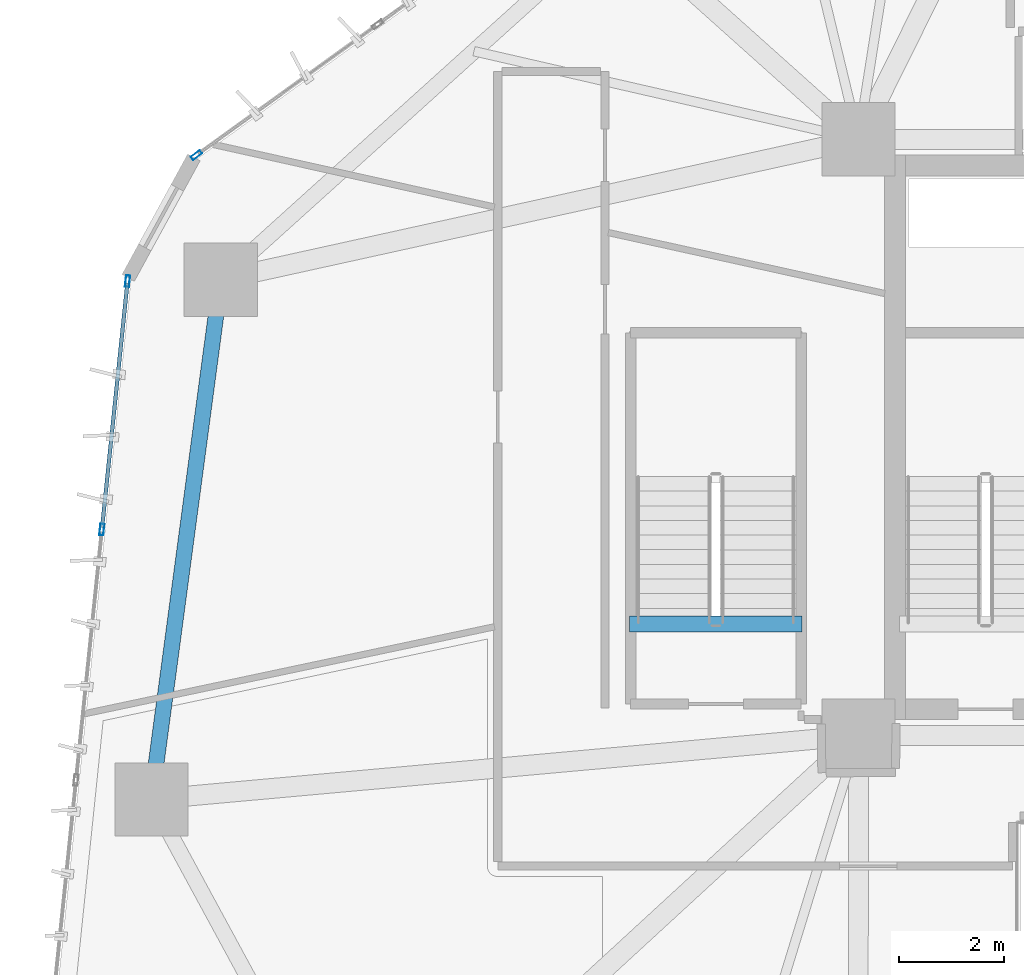
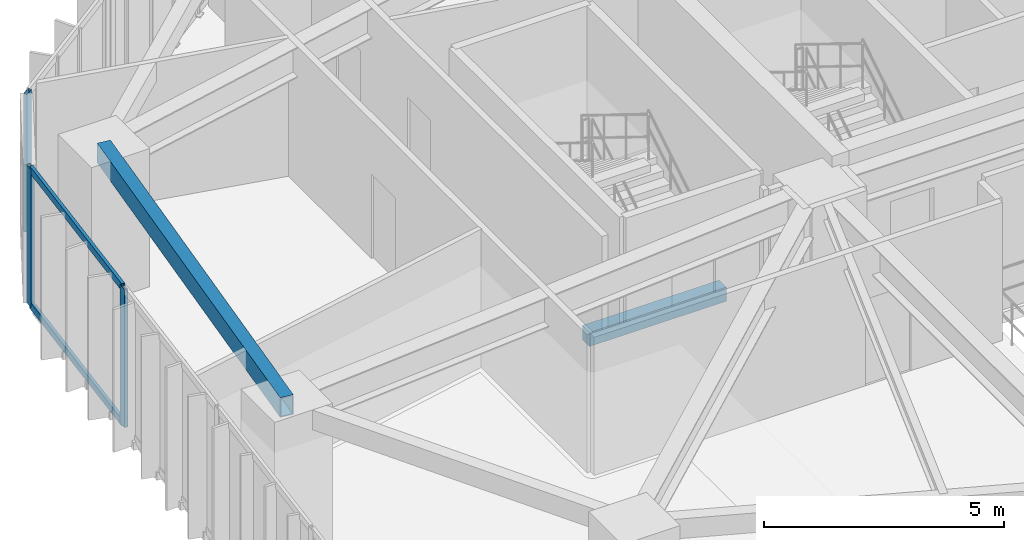
# One storey, part 6 of 22: 5 members, 2 beams, 2 elements without a shape of their own.
"""IFC4 building model written with IfcOpenShell, lengths in metres."""

import ifcopenshell
import ifcopenshell.guid

model = None  # the IFC model being written
_history = None  # IfcOwnerHistory: only IFC2X3 demands one
_inside = {}  # id of a spatial element -> (the spatial element, [elements in it])
_under = {}  # id of a project, library or spatial element -> (it, [spatial elements below it])
_declared = {}  # id of a project -> (the project, [libraries it declares])
_typed = {}  # id of a type object -> (the type object, [elements of that type])
_made_of = {}  # id of a material, layer set ... -> (it, [elements and type objects made of it])


def new_model(schema):
    """Start an empty IFC model of exactly this schema.

    Asked for "IFC4X3", IfcOpenShell would pick the latest addendum, in which some entities
    have other attributes; the version numbers below select the first issue.
    IFC2X3 requires an IfcOwnerHistory on every rooted entity: one is made here for all.
    """
    global model, _history
    if schema == "IFC4X3":
        model = ifcopenshell.file(schema_version=(4, 3, 0, 0))
    else:
        model = ifcopenshell.file(schema=schema)
    _inside.clear()
    _under.clear()
    _declared.clear()
    _typed.clear()
    _made_of.clear()
    _history = None
    if model.schema == "IFC2X3":
        org = make("IfcOrganization", Name="unknown")
        user = make(
            "IfcPersonAndOrganization",
            ThePerson=make("IfcPerson", FamilyName="unknown"),
            TheOrganization=org,
        )
        app = make(
            "IfcApplication",
            ApplicationDeveloper=org,
            Version="unknown",
            ApplicationFullName="unknown",
            ApplicationIdentifier="unknown",
        )
        _history = make(
            "IfcOwnerHistory",
            OwningUser=user,
            OwningApplication=app,
            ChangeAction="ADDED",
            CreationDate=0,
        )
    return model


def make(cls, **values):
    """One entity of the class cls with the attributes given. An attribute that is None is left unset."""
    return model.create_entity(
        cls, **{name: value for name, value in values.items() if value is not None}
    )


def rooted(cls, **values):
    """An entity with a GlobalId (a new one), such as an element, a storey or a relation."""
    return make(cls, GlobalId=ifcopenshell.guid.new(), OwnerHistory=_history, **values)


def si_unit(unit_type, name, prefix=None):
    """IfcSIUnit, for example si_unit("LENGTHUNIT", "METRE", prefix="MILLI")."""
    return make("IfcSIUnit", UnitType=unit_type, Prefix=prefix, Name=name)


def assignment(units):
    """IfcUnitAssignment: the units of a project."""
    return None if units is None else make("IfcUnitAssignment", Units=units)


def point(xyz):
    """IfcCartesianPoint."""
    return None if xyz is None else make("IfcCartesianPoint", Coordinates=xyz)


def direction(xyz):
    """IfcDirection."""
    return None if xyz is None else make("IfcDirection", DirectionRatios=xyz)


def frame(location, z_axis=None, x_axis=None):
    """IfcAxis2Placement3D, a coordinate frame: its origin and axes. An axis left out is left unset."""
    return make(
        "IfcAxis2Placement3D",
        Location=point(location),
        Axis=direction(z_axis),
        RefDirection=direction(x_axis),
    )


def frame_2d(location, x_axis=None):
    """IfcAxis2Placement2D, a coordinate frame in the plane: its origin and x axis."""
    return make(
        "IfcAxis2Placement2D", Location=point(location), RefDirection=direction(x_axis)
    )


def origin():
    """The frame at (0, 0, 0) with its axes left unset."""
    return frame((0.0, 0.0, 0.0))


def origin_2d():
    """The frame at (0, 0) in the plane with its x axis left unset."""
    return frame_2d((0.0, 0.0))


def place(relative_to, where):
    """IfcLocalPlacement: puts the frame where relative to a parent placement (None: the world)."""
    return make(
        "IfcLocalPlacement", PlacementRelTo=relative_to, RelativePlacement=where
    )


def context(
    kind, dimensions, precision=None, world=None, true_north=None, identifier=None
):
    """IfcGeometricRepresentationContext, for example the 3D "Model" context."""
    return make(
        "IfcGeometricRepresentationContext",
        ContextIdentifier=identifier,
        ContextType=kind,
        CoordinateSpaceDimension=dimensions,
        Precision=precision,
        WorldCoordinateSystem=world,
        TrueNorth=true_north,
    )


def subcontext(parent, identifier, kind, view, scale=None):
    """IfcGeometricRepresentationSubContext, for example "Body" below "Model"."""
    return make(
        "IfcGeometricRepresentationSubContext",
        ContextIdentifier=identifier,
        ContextType=kind,
        ParentContext=parent,
        TargetScale=scale,
        TargetView=view,
    )


def project(units=None, contexts=None):
    """IfcProject with its units and contexts."""
    return rooted(
        "IfcProject",
        Name="project",
        RepresentationContexts=contexts,
        UnitsInContext=assignment(units),
    )


def spatial(cls, under=None, at=None, **own):
    """A site, building, storey or space (cls), placed at a placement, below another one or the project."""
    s = rooted(cls, ObjectPlacement=at, **own)
    if under is not None:
        _under.setdefault(under.id(), (under, []))[1].append(s)
    return s


def profile(cls, at=None, kind="AREA", **sizes):
    """A parametric profile (cls). Its sizes go by their IFC names, for example OverallWidth=200.0."""
    return make(cls, ProfileType=kind, Position=at, **sizes)


def rectangle(**sizes):
    """IfcRectangleProfileDef."""
    return profile("IfcRectangleProfileDef", **sizes)


def hollow_rectangle(**sizes):
    """IfcRectangleHollowProfileDef."""
    return profile("IfcRectangleHollowProfileDef", **sizes)


def extrude(swept, where, along, depth):
    """IfcExtrudedAreaSolid: the profile swept, set in the frame where, extruded along a direction by depth."""
    return make(
        "IfcExtrudedAreaSolid",
        SweptArea=swept,
        Position=where,
        ExtrudedDirection=direction(along),
        Depth=depth,
    )


def shape(context_of_items, identifier, shape_type, items):
    """IfcShapeRepresentation: the items that make up one representation, for example the "Body"."""
    return make(
        "IfcShapeRepresentation",
        ContextOfItems=context_of_items,
        RepresentationIdentifier=identifier,
        RepresentationType=shape_type,
        Items=items,
    )


def source(mapping_origin, context_of_items, identifier, shape_type, items):
    """IfcRepresentationMap: a shape defined once, which mapped items show again and again."""
    return make(
        "IfcRepresentationMap",
        MappingOrigin=mapping_origin,
        MappedRepresentation=shape(context_of_items, identifier, shape_type, items),
    )


def transform(
    local_origin,
    x_axis=None,
    y_axis=None,
    z_axis=None,
    scale=None,
    scale2=None,
    scale3=None,
    uniform=True,
):
    """IfcCartesianTransformationOperator3D, or its non-uniform kind. x_axis, y_axis, z_axis: its Axis1, 2, 3."""
    if uniform:
        return make(
            "IfcCartesianTransformationOperator3D",
            Axis1=direction(x_axis),
            Axis2=direction(y_axis),
            LocalOrigin=point(local_origin),
            Scale=scale,
            Axis3=direction(z_axis),
        )
    return make(
        "IfcCartesianTransformationOperator3DnonUniform",
        Axis1=direction(x_axis),
        Axis2=direction(y_axis),
        LocalOrigin=point(local_origin),
        Scale=scale,
        Axis3=direction(z_axis),
        Scale2=scale2,
        Scale3=scale3,
    )


def mapped(mapping_source, mapping_target):
    """IfcMappedItem: shows the shape of a source again, moved by a transform."""
    return make(
        "IfcMappedItem", MappingSource=mapping_source, MappingTarget=mapping_target
    )


def material(Name=None, Category=None):
    """IfcMaterial."""
    return make("IfcMaterial", Name=Name, Category=Category)


def layer(
    of_material, thickness, ventilated=None, Name=None, Category=None, Priority=None
):
    """IfcMaterialLayer: one layer of a wall or slab, of a material (None: an air gap)."""
    return make(
        "IfcMaterialLayer",
        Material=of_material,
        LayerThickness=thickness,
        IsVentilated=ventilated,
        Name=Name,
        Category=Category,
        Priority=Priority,
    )


def layer_set(layers, Name=None):
    """IfcMaterialLayerSet."""
    return make("IfcMaterialLayerSet", MaterialLayers=layers, LayerSetName=Name)


def material_profile(
    of_material, cross_section, Name=None, Category=None, Priority=None
):
    """IfcMaterialProfile: a cross section and its material."""
    return make(
        "IfcMaterialProfile",
        Name=Name,
        Material=of_material,
        Profile=cross_section,
        Priority=Priority,
        Category=Category,
    )


def profile_set(profiles, Name=None, composite=None):
    """IfcMaterialProfileSet."""
    return make(
        "IfcMaterialProfileSet",
        Name=Name,
        MaterialProfiles=profiles,
        CompositeProfile=composite,
    )


def made_of(thing, what):
    """Note that an element or type object is made of a material, layer set ...; save() writes the relation."""
    if what is not None:
        _made_of.setdefault(what.id(), (what, []))[1].append(thing)
    return thing


def type_object(cls, material=None, **own):
    """A type object (cls), such as IfcWallType, which elements share."""
    return made_of(rooted(cls, **own), material)


def type_shapes(of_type, sources):
    """Give a type object the sources (RepresentationMaps) that its elements show as mapped items."""
    of_type.RepresentationMaps = sources


def element(
    cls,
    number,
    at=None,
    inside=None,
    cuts=None,
    type_object=None,
    material=None,
    context=None,
    identifier="Body",
    shape_type=None,
    held_by="IfcProductDefinitionShape",
    body=None,
    shapes=None,
    **own,
):
    """One element of the class cls, such as IfcWall. Its Tag is "e" and its number.

    at: its placement. inside: the storey or other place that contains it. cuts: it is an
    opening in that element (IfcRelVoidsElement). A single representation is given by context,
    identifier, shape_type and body (its items); several are given by shapes. held_by: the class
    of the entity that holds the representations. save() writes the other relations.
    """
    e = rooted(cls, Tag="e%d" % number, ObjectPlacement=at, **own)
    if body is not None:
        shapes = [shape(context, identifier, shape_type, body)]
    if shapes is not None:
        e.Representation = make(held_by, Representations=shapes)
    if inside is not None:
        _inside.setdefault(inside.id(), (inside, []))[1].append(e)
    if cuts is not None:
        rooted(
            "IfcRelVoidsElement", RelatingBuildingElement=cuts, RelatedOpeningElement=e
        )
    if type_object is not None:
        _typed.setdefault(type_object.id(), (type_object, []))[1].append(e)
    return made_of(e, material)


def aggregate(whole, parts):
    """IfcRelAggregates: a whole, such as a stair, and the parts it consists of."""
    return rooted("IfcRelAggregates", RelatingObject=whole, RelatedObjects=parts)


def save(model, path):
    """Write the relations noted so far, then the file.

    IfcRelAggregates (storeys below a building ...), IfcRelContainedInSpatialStructure (elements
    in a storey), IfcRelDefinesByType, IfcRelAssociatesMaterial and IfcRelDeclares: one each for
    every whole, place, type object, material and project.
    """
    for whole, parts in _under.values():
        aggregate(whole, parts)
    for where, things in _inside.values():
        rooted(
            "IfcRelContainedInSpatialStructure",
            RelatedElements=things,
            RelatingStructure=where,
        )
    for kind, things in _typed.values():
        rooted("IfcRelDefinesByType", RelatedObjects=things, RelatingType=kind)
    for what, things in _made_of.values():
        rooted("IfcRelAssociatesMaterial", RelatedObjects=things, RelatingMaterial=what)
    for by, libraries in _declared.values():
        rooted("IfcRelDeclares", RelatingContext=by, RelatedDefinitions=libraries)
    model.write(path)


model = new_model("IFC4")

# Units and contexts
model_context = context("Model", 3, precision=1e-05, world=origin(), true_north=direction((0.0, 1.0)))
body_context = subcontext(model_context, "Body", "Model", "MODEL_VIEW")
ifc_project = project(units=[si_unit("LENGTHUNIT", "METRE"), si_unit("AREAUNIT", "SQUARE_METRE"), si_unit("VOLUMEUNIT", "CUBIC_METRE"), si_unit("PLANEANGLEUNIT", "RADIAN"), si_unit("MASSUNIT", "GRAM", prefix="KILO")], contexts=[model_context])

# Site, building, storey
site_placement = place(None, origin())
site = spatial("IfcSite", under=ifc_project, at=site_placement, CompositionType="ELEMENT")
building_placement = place(site_placement, origin())
building = spatial("IfcBuilding", under=site, at=building_placement, Name="Talar Marvaseh", CompositionType="ELEMENT")
storey_placement = place(building_placement, frame((0.0, 0.0, 65.800048828125)))
storey = spatial("IfcBuildingStorey", under=building, at=storey_placement, Name="L16", CompositionType="ELEMENT", Elevation=65.800048828125)

# Beams
ifc_material_1 = material(Name="Concrete C40/50", Category="concrete")
ifc_material_profile_1 = material_profile(ifc_material_1, rectangle(XDim=0.300048828125, YDim=0.360107421875, at=origin_2d()), Name="RC300x360")
ifc_profile_set_1 = profile_set([ifc_material_profile_1], Name="Concrete C40/50")
beam_type_1 = type_object("IfcBeamType", Name="Concrete Stair Landing Trimmer Beam RC300x360", PredefinedType="SPANDREL", material=ifc_profile_set_1)
beam_1_placement = place(storey_placement, frame((17.6201171875, 27.6298828125, -0.179931640625), z_axis=(-1.0, 0.0, 0.0), x_axis=(0.0, -1.0, 0.0)))
element("IfcBeam", 1, at=beam_1_placement, inside=storey, type_object=beam_type_1, Name="L16 ST-3 Stair Nosing Trimmer Beam", PredefinedType="SPANDREL", context=body_context, shape_type="SweptSolid", body=[
    extrude(rectangle(XDim=0.300048828125, YDim=0.360107421875, at=origin_2d()), origin(), (0.0, 0.0, 1.0), 3.300048828125),
])
ifc_material_2 = material(Name="Steel S355", Category="steel")
ifc_material_profile_2 = material_profile(ifc_material_2, hollow_rectangle(XDim=0.300048828125, YDim=0.5, WallThickness=0.02001953125, at=origin_2d()), Name="RHS500x300x20")
ifc_profile_set_2 = profile_set([ifc_material_profile_2], Name="Steel S355")
beam_type_2 = type_object("IfcBeamType", Name="Zone 1 Perimeter Spandrel Beam RHS500x300x20", PredefinedType="SPANDREL", material=ifc_profile_set_2)
beam_2_placement = place(storey_placement, frame((5.175048828125, 24.27587890625, 3.27001953125), z_axis=(0.132340758564, 0.991204279461, 0.0), x_axis=(-0.991204279461, 0.132340758564, 0.0)))
element("IfcBeam", 2, at=beam_2_placement, inside=storey, type_object=beam_type_2, Name="L16 Zone 1 Perimeter Spandrel Beam RHS500x300x20", PredefinedType="SPANDREL", context=body_context, shape_type="SweptSolid", body=[
    extrude(hollow_rectangle(XDim=0.300048828125, YDim=0.5, WallThickness=0.02001953125, at=origin_2d()), origin(), (0.0, 0.0, 1.0), 10.0263671875),
])

# Curtain wall, members
ifc_material_3 = material(Name="Architectural Aluminium", Category="aluminium")
ifc_layer = layer(ifc_material_3, 0.219970703125)
ifc_layer_set = layer_set([ifc_layer], Name="Architectural Aluminium")
curtain_wall_type = type_object("IfcCurtainWallType", Name="Unitised Low-E Museum Curtain Wall Z1", PredefinedType="NOTDEFINED", material=ifc_layer_set)
curtain_wall_1_placement = place(storey_placement, origin())
curtain_wall_1 = element("IfcCurtainWall", 3, at=curtain_wall_1_placement, inside=storey, type_object=curtain_wall_type, Name="L16 Unitised Low-E Museum Curtain Wall Z1", PredefinedType="NOTDEFINED")
ifc_material_profile_3 = material_profile(ifc_material_3, hollow_rectangle(XDim=0.080078125, YDim=0.219970703125, WallThickness=0.0048828125, at=origin_2d()), Name="RHS220x80x5")
ifc_profile_set_3 = profile_set([ifc_material_profile_3], Name="Architectural Aluminium")
member_type_1 = type_object("IfcMemberType", Name="Unitised Curtain Wall Heavy Mullion RHS220x80x5", PredefinedType="MULLION", material=ifc_profile_set_3)
shared_shape_1 = source(origin(), body_context, "Body", "SweptSolid", [
    extrude(hollow_rectangle(XDim=0.080078125, YDim=0.219970703125, WallThickness=0.0048828125, at=origin_2d()), origin(), (0.0, 0.0, 1.0), 3.52001953125),
])
type_shapes(member_type_1, [shared_shape_1])
member_1_placement = place(storey_placement, frame((4.229248046875, 29.43701171875, 0.0), z_axis=(0.0, 0.0, 1.0), x_axis=(-0.994696116213, 0.102857359443, 0.0)))
member_1 = element("IfcMember", 4, at=member_1_placement, type_object=member_type_1, Name="CW-Z1 mullion 4", PredefinedType="MULLION", context=body_context, shape_type="MappedRepresentation", body=[
    mapped(shared_shape_1, transform((0.0, 0.0, 0.0), x_axis=(1.0, 0.0, 0.0), y_axis=(0.0, 1.0, 0.0), z_axis=(0.0, 0.0, 1.0), scale=1.0)),
])
member_2_placement = place(storey_placement, frame((4.720458984375, 34.1884765625, 0.0), z_axis=(0.0, 0.0, 1.0), x_axis=(-0.994696116213, 0.102857359443, 0.0)))
member_2 = element("IfcMember", 5, at=member_2_placement, type_object=member_type_1, Name="CW-Z1 mullion 5", PredefinedType="MULLION", context=body_context, shape_type="MappedRepresentation", body=[
    mapped(shared_shape_1, transform((0.0, 0.0, 0.0), x_axis=(1.0, 0.0, 0.0), y_axis=(0.0, 1.0, 0.0), z_axis=(0.0, 0.0, 1.0), scale=1.0)),
])

# Curtain wall, member
curtain_wall_2_placement = place(storey_placement, origin())
curtain_wall_2 = element("IfcCurtainWall", 6, at=curtain_wall_2_placement, inside=storey, type_object=curtain_wall_type, Name="L16 Unitised Low-E Museum Curtain Wall Z1", PredefinedType="NOTDEFINED")
member_3_placement = place(storey_placement, frame((6.038330078125, 36.596923828125, 0.0), z_axis=(0.0, 0.0, 1.0), x_axis=(-0.58520918329, 0.810882366187, 0.0)))
member_3 = element("IfcMember", 7, at=member_3_placement, type_object=member_type_1, Name="CW-Z1 mullion 1", PredefinedType="MULLION", context=body_context, shape_type="MappedRepresentation", body=[
    mapped(shared_shape_1, transform((0.0, 0.0, 0.0), x_axis=(1.0, 0.0, 0.0), y_axis=(0.0, 1.0, 0.0), z_axis=(0.0, 0.0, 1.0), scale=1.0)),
])
aggregate(curtain_wall_2, [member_3])

# Member
ifc_material_profile_4 = material_profile(ifc_material_3, hollow_rectangle(XDim=0.074951171875, YDim=0.179931640625, WallThickness=0.0048828125, at=origin_2d()), Name="RHS180x75x5")
ifc_profile_set_4 = profile_set([ifc_material_profile_4], Name="Architectural Aluminium")
member_type_2 = type_object("IfcMemberType", Name="Unitised Curtain Wall Transom RHS180x75x5", PredefinedType="USERDEFINED", material=ifc_profile_set_4)
shared_shape_2 = source(origin(), body_context, "Body", "SweptSolid", [
    extrude(hollow_rectangle(XDim=0.074951171875, YDim=0.179931640625, WallThickness=0.0048828125, at=origin_2d()), origin(), (0.0, 0.0, 1.0), 4.69677734375),
])
type_shapes(member_type_2, [shared_shape_2])
member_4_placement = place(storey_placement, frame((4.2333984375, 29.476806640625, 0.037353515625), z_axis=(0.102817571818, 0.99470022968, 0.0), x_axis=(-0.99470022968, 0.102817571818, 0.0)))
member_4 = element("IfcMember", 8, at=member_4_placement, type_object=member_type_2, Name="CW-Z1 transom 4.1", ObjectType="TRANSOM", PredefinedType="USERDEFINED", context=body_context, shape_type="MappedRepresentation", body=[
    mapped(shared_shape_2, transform((0.0, 0.0, 0.0), x_axis=(1.0, 0.0, 0.0), y_axis=(0.0, 1.0, 0.0), z_axis=(0.0, 0.0, 1.0), scale=1.0)),
])

member_5_placement = place(storey_placement, frame((4.2333984375, 29.476806640625, 3.482421875), z_axis=(0.102817571818, 0.99470022968, 0.0), x_axis=(-0.99470022968, 0.102817571818, 0.0)))
member_5 = element("IfcMember", 9, at=member_5_placement, type_object=member_type_2, Name="CW-Z1 transom 4.2", ObjectType="TRANSOM", PredefinedType="USERDEFINED", context=body_context, shape_type="MappedRepresentation", body=[
    mapped(shared_shape_2, transform((0.0, 0.0, 0.0), x_axis=(1.0, 0.0, 0.0), y_axis=(0.0, 1.0, 0.0), z_axis=(0.0, 0.0, 1.0), scale=1.0)),
])

aggregate(curtain_wall_1, [member_1, member_2, member_4, member_5])

save(model, "model.ifc")
